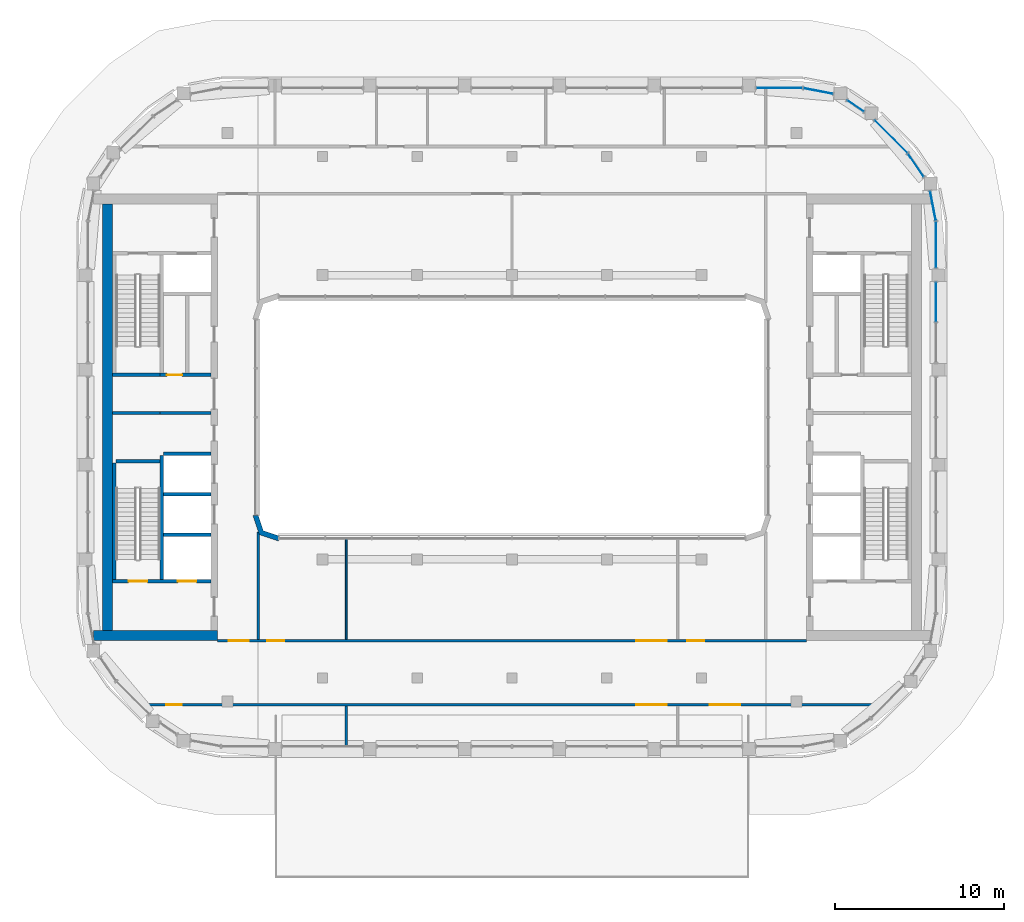
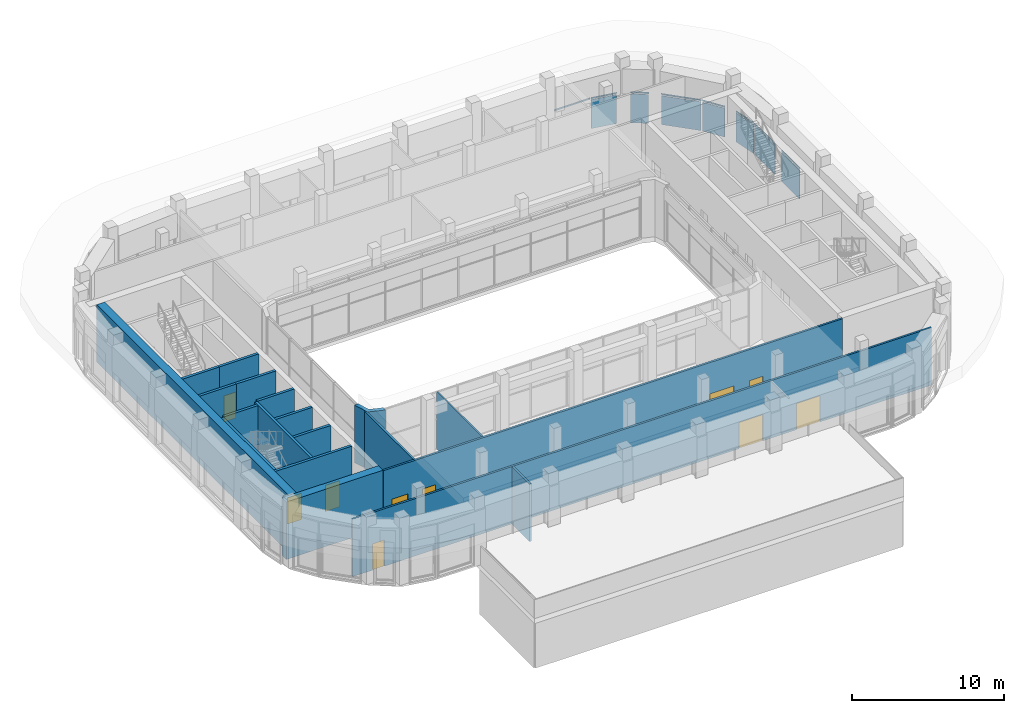
# One storey, part 13 of 23: 19 walls, 15 plates, 10 doors, 10 openings, 8 elements without a shape of their own.
"""IFC4 building model written with IfcOpenShell, lengths in metres."""

from ifc_helpers import new_model, si_unit, direction, frame, frame_2d, origin, origin_2d, place, context, subcontext, project, spatial, polyline, rectangle, outline, extrude, material, layer, layer_set, type_object, element, fill, aggregate, save


model = new_model("IFC4")

# Units and contexts
model_context = context("Model", 3, precision=1e-05, world=origin(), true_north=direction((0.0, 1.0)))
body_context = subcontext(model_context, "Body", "Model", "MODEL_VIEW")
ifc_project = project(units=[si_unit("LENGTHUNIT", "METRE"), si_unit("AREAUNIT", "SQUARE_METRE"), si_unit("VOLUMEUNIT", "CUBIC_METRE"), si_unit("PLANEANGLEUNIT", "RADIAN"), si_unit("MASSUNIT", "GRAM", prefix="KILO")], contexts=[model_context])

# Site, building, storey
site_placement = place(None, origin())
site = spatial("IfcSite", under=ifc_project, at=site_placement, CompositionType="ELEMENT")
building_placement = place(site_placement, origin())
building = spatial("IfcBuilding", under=site, at=building_placement, Name="Kiln Ring Residences", CompositionType="ELEMENT")
storey_placement = place(building_placement, frame((0.0, 0.0, 294.5)))
storey = spatial("IfcBuildingStorey", under=building, at=storey_placement, Name="L76", CompositionType="ELEMENT", Elevation=294.5)

# Curtain wall, plates
ifc_material_1 = material(Name="Aluminium and glass", Category="aluminium")
ifc_layer_1 = layer(ifc_material_1, 0.219970703125)
ifc_layer_set_1 = layer_set([ifc_layer_1], Name="CW5 CURTAIN WALL")
curtain_wall_type = type_object("IfcCurtainWallType", Name="CW5 CURTAIN WALL", PredefinedType="NOTDEFINED", material=ifc_layer_set_1)
placement = place(storey_placement, origin())
curtain_wall_1 = element("IfcCurtainWall", 1, at=placement, inside=storey, type_object=curtain_wall_type, Name="Curtain wall CW5 L76", PredefinedType="NOTDEFINED")
ifc_material_2 = material(Name="Glass, low-e laminated", Category="glass")
ifc_layer_2 = layer(ifc_material_2, 0.031982421875)
ifc_layer_set_2 = layer_set([ifc_layer_2], Name="CW5 PANEL 32")
plate_type = type_object("IfcPlateType", Name="CW5 PANEL 32", PredefinedType="CURTAIN_PANEL", material=ifc_layer_set_2)
plate_1_placement = place(storey_placement, frame((25.050048828125, 6.797607421875, 0.06005859375), z_axis=(0.0, 0.0, 1.0), x_axis=(0.0, 1.0, 0.0)))
plate_1 = element("IfcPlate", 2, at=plate_1_placement, type_object=plate_type, Name="CW5 panel 2.1", PredefinedType="CURTAIN_PANEL", context=body_context, shape_type="SweptSolid", body=[
    extrude(rectangle(XDim=2.3349609375, YDim=0.031982421875, at=origin_2d()), origin(), (0.0, 0.0, 1.0), 2.31005859375),
])
plate_2_placement = place(storey_placement, frame((25.050048828125, 6.797607421875, 2.43017578125), z_axis=(0.0, 0.0, 1.0), x_axis=(0.0, 1.0, 0.0)))
plate_2 = element("IfcPlate", 3, at=plate_2_placement, type_object=plate_type, Name="CW5 panel 2.2", PredefinedType="CURTAIN_PANEL", context=body_context, shape_type="SweptSolid", body=[
    extrude(rectangle(XDim=2.3349609375, YDim=0.031982421875, at=origin_2d()), origin(), (0.0, 0.0, 1.0), 0.110107421875),
])
aggregate(curtain_wall_1, [plate_1, plate_2])

curtain_wall_2 = element("IfcCurtainWall", 4, at=placement, inside=storey, type_object=curtain_wall_type, Name="Curtain wall CW5 L76", PredefinedType="NOTDEFINED")
plate_3_placement = place(storey_placement, frame((25.050048828125, 10.1875, 0.06005859375), z_axis=(0.0, 0.0, 1.0), x_axis=(0.0, 1.0, 0.0)))
plate_3 = element("IfcPlate", 5, at=plate_3_placement, type_object=plate_type, Name="CW5 panel 1.1", PredefinedType="CURTAIN_PANEL", context=body_context, shape_type="SweptSolid", body=[
    extrude(rectangle(XDim=2.705078125, YDim=0.031982421875, at=origin_2d()), origin(), (0.0, 0.0, 1.0), 2.31005859375),
])
plate_4_placement = place(storey_placement, frame((25.050048828125, 10.1875, 2.43017578125), z_axis=(0.0, 0.0, 1.0), x_axis=(0.0, 1.0, 0.0)))
plate_4 = element("IfcPlate", 6, at=plate_4_placement, type_object=plate_type, Name="CW5 panel 1.2", PredefinedType="CURTAIN_PANEL", context=body_context, shape_type="SweptSolid", body=[
    extrude(rectangle(XDim=2.705078125, YDim=0.031982421875, at=origin_2d()), origin(), (0.0, 0.0, 1.0), 0.110107421875),
])
aggregate(curtain_wall_2, [plate_3, plate_4])

curtain_wall_3 = element("IfcCurtainWall", 7, at=placement, inside=storey, type_object=curtain_wall_type, Name="Curtain wall CW5 L76", PredefinedType="NOTDEFINED")
plate_5_placement = place(storey_placement, frame((24.87646484375, 12.495849609375, 0.06005859375), z_axis=(0.0, 0.0, 1.0), x_axis=(-0.187365550364, 0.982290257784, 0.0)))
plate_5 = element("IfcPlate", 8, at=plate_5_placement, type_object=plate_type, Name="CW5 panel 1.1", PredefinedType="CURTAIN_PANEL", context=body_context, shape_type="SweptSolid", body=[
    extrude(rectangle(XDim=1.76123046875, YDim=0.031982421875, at=origin_2d()), origin(), (0.0, 0.0, 1.0), 2.31005859375),
])
plate_6_placement = place(storey_placement, frame((24.87646484375, 12.495849609375, 2.43017578125), z_axis=(0.0, 0.0, 1.0), x_axis=(-0.187365550364, 0.982290257784, 0.0)))
plate_6 = element("IfcPlate", 9, at=plate_6_placement, type_object=plate_type, Name="CW5 panel 1.2", PredefinedType="CURTAIN_PANEL", context=body_context, shape_type="SweptSolid", body=[
    extrude(rectangle(XDim=1.76123046875, YDim=0.031982421875, at=origin_2d()), origin(), (0.0, 0.0, 1.0), 0.110107421875),
])
aggregate(curtain_wall_3, [plate_5, plate_6])

curtain_wall_4 = element("IfcCurtainWall", 10, at=placement, inside=storey, type_object=curtain_wall_type, Name="Curtain wall CW5 L76", PredefinedType="NOTDEFINED")
plate_7_placement = place(storey_placement, frame((23.87109375, 14.888671875, 0.06005859375), z_axis=(0.0, 0.0, 1.0), x_axis=(-0.562096651134, 0.827071553606, 0.0)))
plate_7 = element("IfcPlate", 11, at=plate_7_placement, type_object=plate_type, Name="CW5 panel 1.1", PredefinedType="CURTAIN_PANEL", context=body_context, shape_type="SweptSolid", body=[
    extrude(rectangle(XDim=1.630859375, YDim=0.031982421875, at=origin_2d()), origin(), (0.0, 0.0, 1.0), 2.31005859375),
])
plate_8_placement = place(storey_placement, frame((23.87109375, 14.888671875, 2.43017578125), z_axis=(0.0, 0.0, 1.0), x_axis=(-0.562096651134, 0.827071553606, 0.0)))
plate_8 = element("IfcPlate", 12, at=plate_8_placement, type_object=plate_type, Name="CW5 panel 1.2", PredefinedType="CURTAIN_PANEL", context=body_context, shape_type="SweptSolid", body=[
    extrude(rectangle(XDim=1.630859375, YDim=0.031982421875, at=origin_2d()), origin(), (0.0, 0.0, 1.0), 0.110107421875),
])
aggregate(curtain_wall_4, [plate_7, plate_8])

curtain_wall_5 = element("IfcCurtainWall", 13, at=placement, inside=storey, type_object=curtain_wall_type, Name="Curtain wall CW5 L76", PredefinedType="NOTDEFINED")
plate_9_placement = place(storey_placement, frame((22.39990234375, 16.587890625, 0.06005859375), z_axis=(0.0, 0.0, 1.0), x_axis=(-0.707106781187, 0.707106781187, 0.0)))
plate_9 = element("IfcPlate", 14, at=plate_9_placement, type_object=plate_type, Name="CW5 panel 1.1", PredefinedType="CURTAIN_PANEL", context=body_context, shape_type="SweptSolid", body=[
    extrude(rectangle(XDim=2.69970703125, YDim=0.031982421875, at=origin_2d()), origin(), (0.0, 0.0, 1.0), 2.31005859375),
])
plate_10_placement = place(storey_placement, frame((22.39990234375, 16.587890625, 2.43017578125), z_axis=(0.0, 0.0, 1.0), x_axis=(-0.707106781187, 0.707106781187, 0.0)))
plate_10 = element("IfcPlate", 15, at=plate_10_placement, type_object=plate_type, Name="CW5 panel 1.2", PredefinedType="CURTAIN_PANEL", context=body_context, shape_type="SweptSolid", body=[
    extrude(rectangle(XDim=2.69970703125, YDim=0.031982421875, at=origin_2d()), origin(), (0.0, 0.0, 1.0), 0.110107421875),
])
aggregate(curtain_wall_5, [plate_9, plate_10])

curtain_wall_6 = element("IfcCurtainWall", 16, at=placement, inside=storey, type_object=curtain_wall_type, Name="Curtain wall CW5 L76", PredefinedType="NOTDEFINED")
plate_11_placement = place(storey_placement, frame((20.301025390625, 18.398681640625, 0.06005859375), z_axis=(0.0, 0.0, 1.0), x_axis=(-0.827071553674, 0.562096651033, 0.0)))
plate_11 = element("IfcPlate", 17, at=plate_11_placement, type_object=plate_type, Name="CW5 panel 1.1", PredefinedType="CURTAIN_PANEL", context=body_context, shape_type="SweptSolid", body=[
    extrude(rectangle(XDim=1.177001953125, YDim=0.031982421875, at=origin_2d()), origin(), (0.0, 0.0, 1.0), 2.31005859375),
])
plate_12_placement = place(storey_placement, frame((20.301025390625, 18.398681640625, 2.43017578125), z_axis=(0.0, 0.0, 1.0), x_axis=(-0.827071553674, 0.562096651033, 0.0)))
plate_12 = element("IfcPlate", 18, at=plate_12_placement, type_object=plate_type, Name="CW5 panel 1.2", PredefinedType="CURTAIN_PANEL", context=body_context, shape_type="SweptSolid", body=[
    extrude(rectangle(XDim=1.177001953125, YDim=0.031982421875, at=origin_2d()), origin(), (0.0, 0.0, 1.0), 0.110107421875),
])
aggregate(curtain_wall_6, [plate_11, plate_12])

curtain_wall_7 = element("IfcCurtainWall", 19, at=placement, inside=storey, type_object=curtain_wall_type, Name="Curtain wall CW5 L76", PredefinedType="NOTDEFINED")
plate_13_placement = place(storey_placement, frame((18.095703125, 19.2763671875, 0.06005859375), z_axis=(0.0, 0.0, 1.0), x_axis=(-0.982290257784, 0.187365550364, 0.0)))
plate_13 = element("IfcPlate", 20, at=plate_13_placement, type_object=plate_type, Name="CW5 panel 1.1", PredefinedType="CURTAIN_PANEL", context=body_context, shape_type="SweptSolid", body=[
    extrude(rectangle(XDim=1.76123046875, YDim=0.031982421875, at=origin_2d()), origin(), (0.0, 0.0, 1.0), 2.31005859375),
])
plate_14_placement = place(storey_placement, frame((18.095703125, 19.2763671875, 2.43017578125), z_axis=(0.0, 0.0, 1.0), x_axis=(-0.982290257784, 0.187365550364, 0.0)))
plate_14 = element("IfcPlate", 21, at=plate_14_placement, type_object=plate_type, Name="CW5 panel 1.2", PredefinedType="CURTAIN_PANEL", context=body_context, shape_type="SweptSolid", body=[
    extrude(rectangle(XDim=1.76123046875, YDim=0.031982421875, at=origin_2d()), origin(), (0.0, 0.0, 1.0), 0.110107421875),
])
aggregate(curtain_wall_7, [plate_13, plate_14])

# Curtain wall, plate
curtain_wall_8 = element("IfcCurtainWall", 22, at=placement, inside=storey, type_object=curtain_wall_type, Name="Curtain wall CW5 L76", PredefinedType="NOTDEFINED")
plate_15_placement = place(storey_placement, frame((15.78759765625, 19.449951171875, 2.43017578125), z_axis=(0.0, 0.0, 1.0), x_axis=(-1.0, 0.0, 0.0)))
plate_15 = element("IfcPlate", 23, at=plate_15_placement, type_object=plate_type, Name="CW5 panel 1.2", PredefinedType="CURTAIN_PANEL", context=body_context, shape_type="SweptSolid", body=[
    extrude(rectangle(XDim=2.705078125, YDim=0.031982421875, at=origin_2d()), origin(), (0.0, 0.0, 1.0), 0.110107421875),
])
aggregate(curtain_wall_8, [plate_15])

# Walls
ifc_material_3 = material(Name="Gypsum board on steel studs", Category="steel")
ifc_layer_3 = layer(ifc_material_3, 0.199951171875)
ifc_layer_set_3 = layer_set([ifc_layer_3], Name="CORE-PARTITION-200")
wall_type_1 = type_object("IfcWallType", Name="CORE-PARTITION-200", PredefinedType="PARTITIONING", material=ifc_layer_set_3)
wall_1_placement = place(storey_placement, frame((-20.800048828125, 0.25, 0.0), z_axis=(0.0, 0.0, 1.0), x_axis=(-1.0, 0.0, 0.0)))
element("IfcWall", 24, at=wall_1_placement, inside=storey, type_object=wall_type_1, Name="Core partition west L76 1", PredefinedType="PARTITIONING", context=body_context, shape_type="SweptSolid", body=[
    extrude(rectangle(XDim=2.800048828125, YDim=0.199951171875, at=frame_2d((1.39990234375, 0.0))), origin(), (0.0, 0.0, 1.0), 4.60009765625),
])
ifc_material_4 = material(Name="Gypsum shaft wall system")
ifc_layer_4 = layer(ifc_material_4, 0.199951171875)
ifc_layer_set_4 = layer_set([ifc_layer_4], Name="CORE-SHAFT-WALL-200")
wall_type_2 = type_object("IfcWallType", Name="CORE-SHAFT-WALL-200", PredefinedType="PARTITIONING", material=ifc_layer_set_4)
for number, where, z_axis, x_axis, name in (
    (25, (-17.800048828125, -6.949951171875, 0.0), (0.0, 0.0, 1.0), (-1.0, 0.0, 0.0), "Core partition west L76 3"),
    (26, (-17.800048828125, -4.550048828125, 0.0), (0.0, 0.0, 1.0), (-1.0, 0.0, 0.0), "Core partition west L76 4"),
    (27, (-17.800048828125, -2.14990234375, 0.0), (0.0, 0.0, 1.0), (-1.0, 0.0, 0.0), "Core partition west L76 5"),
):
    element("IfcWall", number, at=place(storey_placement, frame(where, z_axis=z_axis, x_axis=x_axis)), inside=storey, type_object=wall_type_2, Name=name, PredefinedType="PARTITIONING", context=body_context, shape_type="SweptSolid", body=[
        extrude(rectangle(XDim=2.800048828125, YDim=0.199951171875, at=frame_2d((1.39990234375, 0.0))), origin(), (0.0, 0.0, 1.0), 4.60009765625),
    ])
wall_2_placement = place(storey_placement, frame((-17.800048828125, 0.25, 0.0), z_axis=(0.0, 0.0, 1.0), x_axis=(-1.0, 0.0, 0.0)))
element("IfcWall", 28, at=wall_2_placement, inside=storey, type_object=wall_type_2, Name="Core partition west L76 6", PredefinedType="PARTITIONING", context=body_context, shape_type="SweptSolid", body=[
    extrude(rectangle(XDim=3.0, YDim=0.199951171875, at=frame_2d((1.5, 0.0))), origin(), (0.0, 0.0, 1.0), 4.60009765625),
])

# Wall, opening, door
wall_3_placement = place(storey_placement, frame((-17.800048828125, 2.5, 0.0), z_axis=(0.0, 0.0, 1.0), x_axis=(-1.0, 0.0, 0.0)))
wall_3 = element("IfcWall", 29, at=wall_3_placement, inside=storey, type_object=wall_type_2, Name="Core partition west L76 7", PredefinedType="PARTITIONING", context=body_context, shape_type="SweptSolid", body=[
    extrude(rectangle(XDim=3.0, YDim=0.199951171875, at=frame_2d((1.5, 0.0))), origin(), (0.0, 0.0, 1.0), 4.60009765625),
])
opening_1_placement = place(wall_3_placement, frame((1.699951171875, 0.0, 0.0)))
opening_1 = element("IfcOpeningElement", 30, at=opening_1_placement, cuts=wall_3, Name="Opening L76-CW06", PredefinedType="OPENING", context=body_context, shape_type="SweptSolid", body=[
    extrude(rectangle(XDim=0.89990234375, YDim=2.10009765625, at=frame_2d((0.449951171875, 1.050048828125))), frame((0.0, 0.10986328125, 0.0), z_axis=(0.0, -1.0, 0.0), x_axis=(1.0, 0.0, 0.0)), (0.0, 0.0, 1.0), 0.219970703125),
])
ifc_material_5 = material(Name="Steel door leaf", Category="steel")
door_type_1 = type_object("IfcDoorType", Name="CORE-DOOR-ROOM", OperationType="SINGLE_SWING_LEFT", PredefinedType="DOOR", material=ifc_material_5)
door_1_placement = place(opening_1_placement, origin())
door_1 = element("IfcDoor", 31, at=door_1_placement, inside=storey, type_object=door_type_1, Name="Service store L76-CW06", OperationType="SINGLE_SWING_LEFT", OverallHeight=2.10009765625, OverallWidth=0.89990234375, PredefinedType="DOOR", context=body_context, shape_type="SweptSolid", body=[
    extrude(rectangle(XDim=0.89990234375, YDim=2.10009765625, at=frame_2d((0.449951171875, 1.050048828125))), frame((0.0, 0.02490234375, 0.0), z_axis=(0.0, -1.0, 0.0), x_axis=(1.0, 0.0, 0.0)), (0.0, 0.0, 1.0), 0.050048828125),
])
fill(opening_1, door_1)

# Walls
ifc_material_6 = material(Name="Concrete C40/50", Category="concrete")
ifc_layer_5 = layer(ifc_material_6, 0.199951171875)
ifc_layer_set_5 = layer_set([ifc_layer_5], Name="CORE-WALL-RC200")
wall_type_3 = type_object("IfcWallType", Name="CORE-WALL-RC200", PredefinedType="SHEAR", material=ifc_layer_set_5)
wall_4_placement = place(storey_placement, frame((-20.699951171875, -9.60009765625, 0.0), z_axis=(0.0, 0.0, 1.0), x_axis=(0.0, 1.0, 0.0)))
element("IfcWall", 32, at=wall_4_placement, inside=storey, type_object=wall_type_3, Name="Core wall west L76 2", PredefinedType="SHEAR", context=body_context, shape_type="SweptSolid", body=[
    extrude(rectangle(XDim=7.35009765625, YDim=0.199951171875, at=frame_2d((3.675048828125, 0.0))), origin(), (0.0, 0.0, 1.0), 4.60009765625),
])
wall_5_placement = place(storey_placement, frame((-20.800048828125, 2.5, 0.0), z_axis=(0.0, 0.0, 1.0), x_axis=(-1.0, 0.0, 0.0)))
element("IfcWall", 33, at=wall_5_placement, inside=storey, type_object=wall_type_3, Name="Core wall west L76 3", PredefinedType="SHEAR", context=body_context, shape_type="SweptSolid", body=[
    extrude(rectangle(XDim=2.800048828125, YDim=0.199951171875, at=frame_2d((1.39990234375, 0.0))), origin(), (0.0, 0.0, 1.0), 4.60009765625),
])

# Wall, openings, doors
wall_6_placement = place(storey_placement, frame((-17.800048828125, -9.699951171875, 0.0), z_axis=(0.0, 0.0, 1.0), x_axis=(-1.0, 0.0, 0.0)))
wall_6 = element("IfcWall", 34, at=wall_6_placement, inside=storey, type_object=wall_type_3, Name="Core wall west L76 8", PredefinedType="SHEAR", context=body_context, shape_type="SweptSolid", body=[
    extrude(rectangle(XDim=5.800048828125, YDim=0.199951171875, at=frame_2d((2.89990234375, 0.0))), origin(), (0.0, 0.0, 1.0), 4.60009765625),
])
opening_2_placement = place(wall_6_placement, frame((0.85009765625, 0.0, 0.0)))
opening_2 = element("IfcOpeningElement", 35, at=opening_2_placement, cuts=wall_6, Name="Opening L76-CW01", PredefinedType="OPENING", context=body_context, shape_type="SweptSolid", body=[
    extrude(rectangle(XDim=1.10009765625, YDim=2.10009765625, at=frame_2d((0.550048828125, 1.050048828125))), frame((0.0, 0.10986328125, 0.0), z_axis=(0.0, -1.0, 0.0), x_axis=(1.0, 0.0, 0.0)), (0.0, 0.0, 1.0), 0.219970703125),
])
opening_3_placement = place(wall_6_placement, frame((3.75, 0.0, 0.0)))
opening_3 = element("IfcOpeningElement", 36, at=opening_3_placement, cuts=wall_6, Name="Opening L76-CW11", PredefinedType="OPENING", context=body_context, shape_type="SweptSolid", body=[
    extrude(rectangle(XDim=1.10009765625, YDim=2.10009765625, at=frame_2d((0.550048828125, 1.050048828125))), frame((0.0, 0.10986328125, 0.0), z_axis=(0.0, -1.0, 0.0), x_axis=(1.0, 0.0, 0.0)), (0.0, 0.0, 1.0), 0.219970703125),
])
ifc_material_7 = material(Name="Steel door leaf", Category="steel")
door_type_2 = type_object("IfcDoorType", Name="CORE-DOOR-LD", OperationType="DOUBLE_DOOR_SLIDING", PredefinedType="DOOR", material=ifc_material_7)
door_2_placement = place(opening_2_placement, origin())
door_2 = element("IfcDoor", 37, at=door_2_placement, inside=storey, type_object=door_type_2, Name="LD W-SV L76-CW01", OperationType="DOUBLE_DOOR_SLIDING", OverallHeight=2.10009765625, OverallWidth=1.10009765625, PredefinedType="DOOR", context=body_context, shape_type="SweptSolid", body=[
    extrude(rectangle(XDim=1.10009765625, YDim=2.10009765625, at=frame_2d((0.550048828125, 1.050048828125))), frame((0.0, 0.02490234375, 0.0), z_axis=(0.0, -1.0, 0.0), x_axis=(1.0, 0.0, 0.0)), (0.0, 0.0, 1.0), 0.050048828125),
])
fill(opening_2, door_2)
ifc_material_8 = material(Name="Steel door leaf", Category="steel")
door_type_3 = type_object("IfcDoorType", Name="CORE-DOOR-STAIR", OperationType="SINGLE_SWING_LEFT", PredefinedType="DOOR", material=ifc_material_8)
door_3_placement = place(opening_3_placement, origin())
door_3 = element("IfcDoor", 38, at=door_3_placement, inside=storey, type_object=door_type_3, Name="Stair W-STS L76-CW11", OperationType="SINGLE_SWING_RIGHT", OverallHeight=2.10009765625, OverallWidth=1.10009765625, PredefinedType="DOOR", context=body_context, shape_type="SweptSolid", body=[
    extrude(rectangle(XDim=1.10009765625, YDim=2.10009765625, at=frame_2d((0.550048828125, 1.050048828125))), frame((0.0, 0.02490234375, 0.0), z_axis=(0.0, -1.0, 0.0), x_axis=(1.0, 0.0, 0.0)), (0.0, 0.0, 1.0), 0.050048828125),
])
fill(opening_3, door_3)

# Walls
wall_7_placement = place(storey_placement, frame((-23.5, -9.60009765625, 0.0), z_axis=(0.0, 0.0, 1.0), x_axis=(0.0, 1.0, 0.0)))
element("IfcWall", 39, at=wall_7_placement, inside=storey, type_object=wall_type_3, Name="Core wall west L76 11", PredefinedType="SHEAR", context=body_context, shape_type="SweptSolid", body=[
    extrude(rectangle(XDim=6.900146484375, YDim=0.199951171875, at=frame_2d((3.4501953125, 0.0))), origin(), (0.0, 0.0, 1.0), 4.60009765625),
])
wall_8_placement = place(storey_placement, frame((-20.800048828125, -2.60009765625, 0.0), z_axis=(0.0, 0.0, 1.0), x_axis=(-1.0, 0.0, 0.0)))
element("IfcWall", 40, at=wall_8_placement, inside=storey, type_object=wall_type_3, Name="Core wall west L76 12", PredefinedType="SHEAR", context=body_context, shape_type="SweptSolid", body=[
    extrude(rectangle(XDim=2.599853515625, YDim=0.199951171875, at=frame_2d((1.2998046875, 0.0))), origin(), (0.0, 0.0, 1.0), 4.60009765625),
])
ifc_material_9 = material(Name="Concrete C60/75", Category="concrete")
ifc_layer_6 = layer(ifc_material_9, 0.60009765625)
ifc_layer_set_6 = layer_set([ifc_layer_6], Name="CORE-WALL-RC600")
wall_type_4 = type_object("IfcWallType", Name="CORE-WALL-RC600", PredefinedType="SHEAR", material=ifc_layer_set_6)
wall_9_placement = place(storey_placement, frame((-17.39990234375, -12.89990234375, 0.0), z_axis=(0.0, 0.0, 1.0), x_axis=(-1.0, 0.0, 0.0)))
element("IfcWall", 41, at=wall_9_placement, inside=storey, type_object=wall_type_4, Name="Core wall west L76 5", PredefinedType="SHEAR", context=body_context, shape_type="SweptSolid", body=[
    extrude(rectangle(XDim=7.320068359375, YDim=0.60009765625, at=frame_2d((3.66015625, 0.0))), origin(), (0.0, 0.0, 1.0), 4.60009765625),
])
wall_10_placement = place(storey_placement, frame((-23.89990234375, -12.60009765625, 0.0), z_axis=(0.0, 0.0, 1.0), x_axis=(0.0, 1.0, 0.0)))
element("IfcWall", 42, at=wall_10_placement, inside=storey, type_object=wall_type_4, Name="Core wall west L76 7", PredefinedType="SHEAR", context=body_context, shape_type="SweptSolid", body=[
    extrude(rectangle(XDim=25.2001953125, YDim=0.60009765625, at=frame_2d((12.60009765625, 0.0))), origin(), (0.0, 0.0, 1.0), 4.60009765625),
])
ifc_material_10 = material(Name="Brick masonry, dark clay brick", Category="masonry")
ifc_layer_7 = layer(ifc_material_10, 0.300048828125)
ifc_layer_set_7 = layer_set([ifc_layer_7], Name="EW-300 BRICK WALL")
wall_type_5 = type_object("IfcWallType", Name="EW-300 BRICK WALL", PredefinedType="SOLIDWALL", material=ifc_layer_set_7)
element("IfcWall", 43, at=placement, inside=storey, type_object=wall_type_5, Name="Corner wall L76 4", PredefinedType="SOLIDWALL", context=body_context, shape_type="SweptSolid", body=[
    extrude(outline(polyline([(-14.937255859375, -6.937255859375), (-13.8486328125, -7.300048828125), (-13.800048828125, -7.300048828125), (-13.800048828125, -7.0), (-14.699951171875, -6.699951171875), (-15.0, -5.800048828125), (-15.300048828125, -5.800048828125), (-15.300048828125, -5.8486328125), (-14.937255859375, -6.937255859375)])), origin(), (0.0, 0.0, 1.0), 4.60009765625),
])
ifc_material_11 = material(Name="Gypsum board on steel studs", Category="steel")
ifc_layer_8 = layer(ifc_material_11, 0.10009765625)
ifc_layer_set_8 = layer_set([ifc_layer_8], Name="PARTITION-100")
wall_type_6 = type_object("IfcWallType", Name="PARTITION-100", PredefinedType="PARTITIONING", material=ifc_layer_set_8)
wall_12_placement = place(storey_placement, frame((-9.800048828125, -13.125, 0.0), z_axis=(0.0, 0.0, 1.0), x_axis=(0.0, 1.0, 0.0)))
element("IfcWall", 44, at=wall_12_placement, inside=storey, type_object=wall_type_6, Name="Partition 007", PredefinedType="PARTITIONING", context=body_context, shape_type="SweptSolid", body=[
    extrude(rectangle(XDim=5.943115234375, YDim=0.10009765625, at=frame_2d((2.9716796875, 0.0))), origin(), (0.0, 0.0, 1.0), 4.60009765625),
])

# Wall, openings, doors
ifc_material_12 = material(Name="Brick masonry partition", Category="masonry")
ifc_layer_9 = layer(ifc_material_12, 0.14990234375)
ifc_layer_set_9 = layer_set([ifc_layer_9], Name="PARTITION-150-ei60")
wall_type_7 = type_object("IfcWallType", Name="PARTITION-150-ei60", PredefinedType="PARTITIONING", material=ifc_layer_set_9)
wall_13_placement = place(storey_placement, frame((-21.9453125, -17.0, 0.0), z_axis=(0.0, 0.0, 1.0), x_axis=(1.0, 0.0, 0.0)))
wall_13 = element("IfcWall", 45, at=wall_13_placement, inside=storey, type_object=wall_type_7, Name="Partition 000", PredefinedType="PARTITIONING", context=body_context, shape_type="SweptSolid", body=[
    extrude(rectangle(XDim=43.890625, YDim=0.14990234375, at=frame_2d((21.9453125, 0.0))), origin(), (0.0, 0.0, 1.0), 4.60009765625),
])
opening_4_placement = place(wall_13_placement, frame((1.522216796875, 0.0, 0.0)))
opening_4 = element("IfcOpeningElement", 46, at=opening_4_placement, cuts=wall_13, Name="Opening L76-D015", PredefinedType="OPENING", context=body_context, shape_type="SweptSolid", body=[
    extrude(rectangle(XDim=0.89990234375, YDim=2.10009765625, at=frame_2d((0.449951171875, 1.050048828125))), frame((0.0, 0.0849609375, 0.0), z_axis=(0.0, -1.0, 0.0), x_axis=(1.0, 0.0, 0.0)), (0.0, 0.0, 1.0), 0.169921875),
])
opening_5_placement = place(wall_13_placement, frame((29.295166015625, 0.0, 0.0)))
opening_5 = element("IfcOpeningElement", 47, at=opening_5_placement, cuts=wall_13, Name="Opening L76-D016", PredefinedType="OPENING", context=body_context, shape_type="SweptSolid", body=[
    extrude(rectangle(XDim=1.800048828125, YDim=2.10009765625, at=frame_2d((0.89990234375, 1.050048828125))), frame((0.0, 0.0849609375, 0.0), z_axis=(0.0, -1.0, 0.0), x_axis=(1.0, 0.0, 0.0)), (0.0, 0.0, 1.0), 0.169921875),
])
opening_6_placement = place(wall_13_placement, frame((33.645263671875, 0.0, 0.0)))
opening_6 = element("IfcOpeningElement", 48, at=opening_6_placement, cuts=wall_13, Name="Opening L76-D017", PredefinedType="OPENING", context=body_context, shape_type="SweptSolid", body=[
    extrude(rectangle(XDim=1.800048828125, YDim=2.10009765625, at=frame_2d((0.89990234375, 1.050048828125))), frame((0.0, 0.0849609375, 0.0), z_axis=(0.0, -1.0, 0.0), x_axis=(1.0, 0.0, 0.0)), (0.0, 0.0, 1.0), 0.169921875),
])
ifc_material_13 = material(Name="Steel faced fire door leaf", Category="steel")
door_type_4 = type_object("IfcDoorType", Name="FLAT-DOOR-1800-FR", OperationType="SINGLE_SWING_LEFT", PredefinedType="DOOR", material=ifc_material_13)
door_4_placement = place(opening_5_placement, origin())
door_4 = element("IfcDoor", 49, at=door_4_placement, inside=storey, type_object=door_type_4, Name="Door L76-D016", OperationType="SINGLE_SWING_RIGHT", OverallHeight=2.10009765625, OverallWidth=1.800048828125, PredefinedType="DOOR", context=body_context, shape_type="SweptSolid", body=[
    extrude(rectangle(XDim=1.800048828125, YDim=2.10009765625, at=frame_2d((0.89990234375, 1.050048828125))), frame((0.0, 0.02490234375, 0.0), z_axis=(0.0, -1.0, 0.0), x_axis=(1.0, 0.0, 0.0)), (0.0, 0.0, 1.0), 0.050048828125),
])
fill(opening_5, door_4)
door_5_placement = place(opening_6_placement, origin())
door_5 = element("IfcDoor", 50, at=door_5_placement, inside=storey, type_object=door_type_4, Name="Door L76-D017", OperationType="SINGLE_SWING_LEFT", OverallHeight=2.10009765625, OverallWidth=1.800048828125, PredefinedType="DOOR", context=body_context, shape_type="SweptSolid", body=[
    extrude(rectangle(XDim=1.800048828125, YDim=2.10009765625, at=frame_2d((0.89990234375, 1.050048828125))), frame((0.0, 0.02490234375, 0.0), z_axis=(0.0, -1.0, 0.0), x_axis=(1.0, 0.0, 0.0)), (0.0, 0.0, 1.0), 0.050048828125),
])
fill(opening_6, door_5)
ifc_material_14 = material(Name="Steel faced fire door leaf", Category="steel")
door_type_5 = type_object("IfcDoorType", Name="FLAT-DOOR-900-FR", OperationType="SINGLE_SWING_LEFT", PredefinedType="DOOR", material=ifc_material_14)
door_6_placement = place(opening_4_placement, origin())
door_6 = element("IfcDoor", 51, at=door_6_placement, inside=storey, type_object=door_type_5, Name="Door L76-D015", OperationType="SINGLE_SWING_LEFT", OverallHeight=2.10009765625, OverallWidth=0.89990234375, PredefinedType="DOOR", context=body_context, shape_type="SweptSolid", body=[
    extrude(rectangle(XDim=0.89990234375, YDim=2.10009765625, at=frame_2d((0.449951171875, 1.050048828125))), frame((0.0, 0.02490234375, 0.0), z_axis=(0.0, -1.0, 0.0), x_axis=(1.0, 0.0, 0.0)), (0.0, 0.0, 1.0), 0.050048828125),
])
fill(opening_4, door_6)

wall_14_placement = place(storey_placement, frame((-17.39990234375, -13.199951171875, 0.0), z_axis=(0.0, 0.0, 1.0), x_axis=(1.0, 0.0, 0.0)))
wall_14 = element("IfcWall", 52, at=wall_14_placement, inside=storey, type_object=wall_type_7, Name="Partition 001", PredefinedType="PARTITIONING", context=body_context, shape_type="SweptSolid", body=[
    extrude(rectangle(XDim=34.7998046875, YDim=0.14990234375, at=frame_2d((17.39990234375, 0.0))), origin(), (0.0, 0.0, 1.0), 4.60009765625),
])
opening_7_placement = place(wall_14_placement, frame((0.64990234375, 0.0, 0.0)))
opening_7 = element("IfcOpeningElement", 53, at=opening_7_placement, cuts=wall_14, Name="Opening L76-D011", PredefinedType="OPENING", context=body_context, shape_type="SweptSolid", body=[
    extrude(rectangle(XDim=1.199951171875, YDim=2.10009765625, at=frame_2d((0.60009765625, 1.050048828125))), frame((0.0, 0.0849609375, 0.0), z_axis=(0.0, -1.0, 0.0), x_axis=(1.0, 0.0, 0.0)), (0.0, 0.0, 1.0), 0.169921875),
])
opening_8_placement = place(wall_14_placement, frame((2.949951171875, 0.0, 0.0)))
opening_8 = element("IfcOpeningElement", 54, at=opening_8_placement, cuts=wall_14, Name="Opening L76-D012", PredefinedType="OPENING", context=body_context, shape_type="SweptSolid", body=[
    extrude(rectangle(XDim=1.0, YDim=2.10009765625, at=frame_2d((0.5, 1.050048828125))), frame((0.0, 0.0849609375, 0.0), z_axis=(0.0, -1.0, 0.0), x_axis=(1.0, 0.0, 0.0)), (0.0, 0.0, 1.0), 0.169921875),
])
opening_9_placement = place(wall_14_placement, frame((24.75, 0.0, 0.0)))
opening_9 = element("IfcOpeningElement", 55, at=opening_9_placement, cuts=wall_14, Name="Opening L76-D013", PredefinedType="OPENING", context=body_context, shape_type="SweptSolid", body=[
    extrude(rectangle(XDim=1.800048828125, YDim=2.10009765625, at=frame_2d((0.89990234375, 1.050048828125))), frame((0.0, 0.0849609375, 0.0), z_axis=(0.0, -1.0, 0.0), x_axis=(1.0, 0.0, 0.0)), (0.0, 0.0, 1.0), 0.169921875),
])
opening_10_placement = place(wall_14_placement, frame((27.75, 0.0, 0.0)))
opening_10 = element("IfcOpeningElement", 56, at=opening_10_placement, cuts=wall_14, Name="Opening L76-D014", PredefinedType="OPENING", context=body_context, shape_type="SweptSolid", body=[
    extrude(rectangle(XDim=1.0, YDim=2.10009765625, at=frame_2d((0.5, 1.050048828125))), frame((0.0, 0.0849609375, 0.0), z_axis=(0.0, -1.0, 0.0), x_axis=(1.0, 0.0, 0.0)), (0.0, 0.0, 1.0), 0.169921875),
])
ifc_material_15 = material(Name="Steel faced fire door leaf", Category="steel")
door_type_6 = type_object("IfcDoorType", Name="FLAT-DOOR-1000-FR", OperationType="SINGLE_SWING_LEFT", PredefinedType="DOOR", material=ifc_material_15)
door_7_placement = place(opening_8_placement, origin())
door_7 = element("IfcDoor", 57, at=door_7_placement, inside=storey, type_object=door_type_6, Name="Door L76-D012", OperationType="SINGLE_SWING_RIGHT", OverallHeight=2.10009765625, OverallWidth=1.0, PredefinedType="DOOR", context=body_context, shape_type="SweptSolid", body=[
    extrude(rectangle(XDim=1.0, YDim=2.10009765625, at=frame_2d((0.5, 1.050048828125))), frame((0.0, 0.02490234375, 0.0), z_axis=(0.0, -1.0, 0.0), x_axis=(1.0, 0.0, 0.0)), (0.0, 0.0, 1.0), 0.050048828125),
])
fill(opening_8, door_7)
door_8_placement = place(opening_10_placement, origin())
door_8 = element("IfcDoor", 58, at=door_8_placement, inside=storey, type_object=door_type_6, Name="Door L76-D014", OperationType="SINGLE_SWING_RIGHT", OverallHeight=2.10009765625, OverallWidth=1.0, PredefinedType="DOOR", context=body_context, shape_type="SweptSolid", body=[
    extrude(rectangle(XDim=1.0, YDim=2.10009765625, at=frame_2d((0.5, 1.050048828125))), frame((0.0, 0.02490234375, 0.0), z_axis=(0.0, -1.0, 0.0), x_axis=(1.0, 0.0, 0.0)), (0.0, 0.0, 1.0), 0.050048828125),
])
fill(opening_10, door_8)
ifc_material_16 = material(Name="Steel faced fire door leaf", Category="steel")
door_type_7 = type_object("IfcDoorType", Name="FLAT-DOOR-1200-FR", OperationType="SINGLE_SWING_LEFT", PredefinedType="DOOR", material=ifc_material_16)
door_9_placement = place(opening_7_placement, origin())
door_9 = element("IfcDoor", 59, at=door_9_placement, inside=storey, type_object=door_type_7, Name="Door L76-D011", OperationType="SINGLE_SWING_RIGHT", OverallHeight=2.10009765625, OverallWidth=1.199951171875, PredefinedType="DOOR", context=body_context, shape_type="SweptSolid", body=[
    extrude(rectangle(XDim=1.199951171875, YDim=2.10009765625, at=frame_2d((0.60009765625, 1.050048828125))), frame((0.0, 0.02490234375, 0.0), z_axis=(0.0, -1.0, 0.0), x_axis=(1.0, 0.0, 0.0)), (0.0, 0.0, 1.0), 0.050048828125),
])
fill(opening_7, door_9)
door_10_placement = place(opening_9_placement, origin())
door_10 = element("IfcDoor", 60, at=door_10_placement, inside=storey, type_object=door_type_4, Name="Door L76-D013", OperationType="SINGLE_SWING_LEFT", OverallHeight=2.10009765625, OverallWidth=1.800048828125, PredefinedType="DOOR", context=body_context, shape_type="SweptSolid", body=[
    extrude(rectangle(XDim=1.800048828125, YDim=2.10009765625, at=frame_2d((0.89990234375, 1.050048828125))), frame((0.0, 0.02490234375, 0.0), z_axis=(0.0, -1.0, 0.0), x_axis=(1.0, 0.0, 0.0)), (0.0, 0.0, 1.0), 0.050048828125),
])
fill(opening_9, door_10)

# Walls
wall_15_placement = place(storey_placement, frame((-15.0, -13.125, 0.0), z_axis=(0.0, 0.0, 1.0), x_axis=(0.0, 1.0, 0.0)))
element("IfcWall", 61, at=wall_15_placement, inside=storey, type_object=wall_type_7, Name="Partition 004", PredefinedType="PARTITIONING", context=body_context, shape_type="SweptSolid", body=[
    extrude(rectangle(XDim=6.356201171875, YDim=0.14990234375, at=frame_2d((3.17822265625, 0.0))), origin(), (0.0, 0.0, 1.0), 4.60009765625),
])
wall_16_placement = place(storey_placement, frame((-9.800048828125, -19.4140625, 0.0), z_axis=(0.0, 0.0, 1.0), x_axis=(0.0, 1.0, 0.0)))
element("IfcWall", 62, at=wall_16_placement, inside=storey, type_object=wall_type_7, Name="Partition 008", PredefinedType="PARTITIONING", context=body_context, shape_type="SweptSolid", body=[
    extrude(rectangle(XDim=2.339111328125, YDim=0.14990234375, at=frame_2d((1.16943359375, 0.0))), origin(), (0.0, 0.0, 1.0), 4.60009765625),
])

save(model, "model.ifc")
